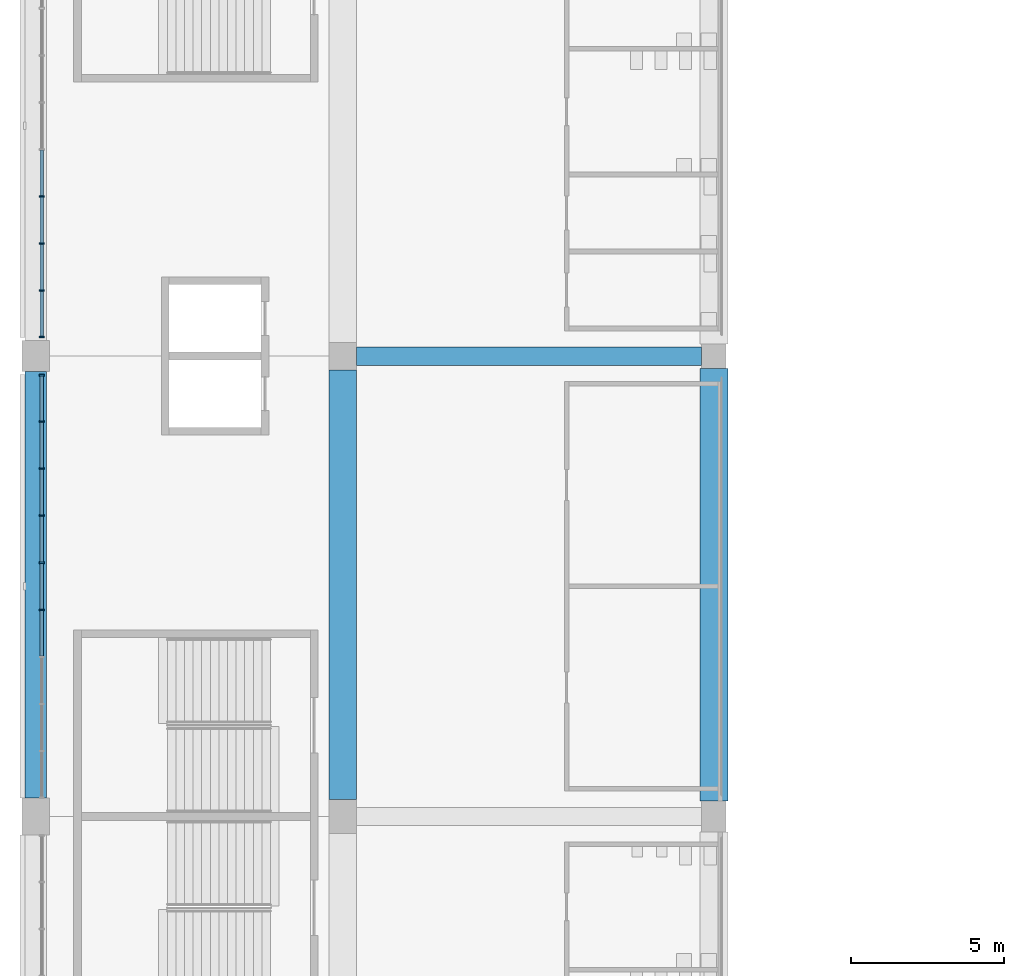
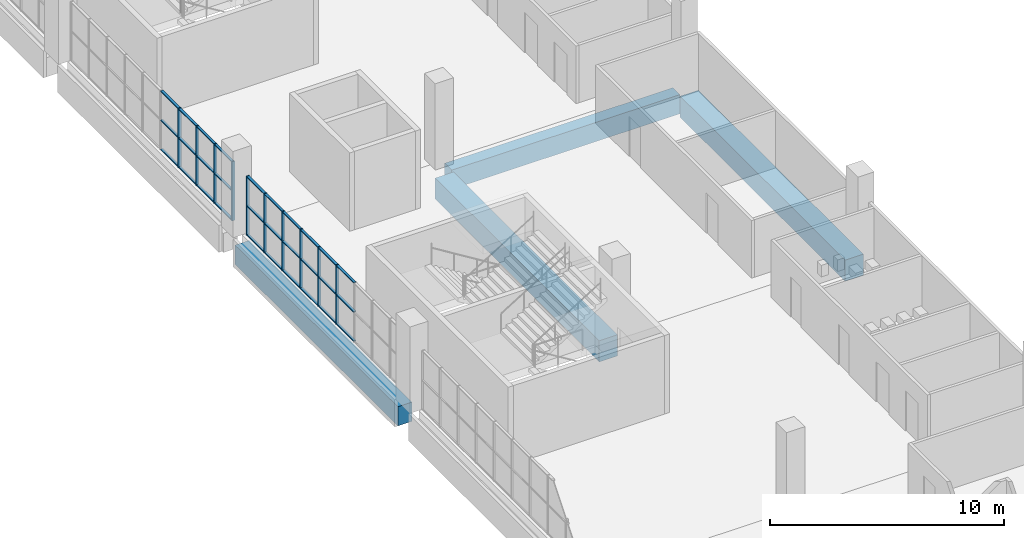
# One storey, part 19 of 199: 40 members, 4 beams, 2 elements without a shape of their own.
"""IFC4 building model written with IfcOpenShell, lengths in metres."""

from ifc_helpers import new_model, si_unit, direction, frame, origin, origin_2d, place, context, subcontext, project, spatial, rectangle, extrude, material, material_profile, profile_set, type_object, element, aggregate, save


model = new_model("IFC4")

# Units and contexts
model_context = context("Model", 3, precision=1e-05, world=origin(), true_north=direction((0.0, 1.0)))
body_context = subcontext(model_context, "Body", "Model", "MODEL_VIEW")
ifc_project = project(units=[si_unit("LENGTHUNIT", "METRE"), si_unit("AREAUNIT", "SQUARE_METRE"), si_unit("VOLUMEUNIT", "CUBIC_METRE"), si_unit("PLANEANGLEUNIT", "RADIAN"), si_unit("MASSUNIT", "GRAM", prefix="KILO")], contexts=[model_context])

# Site, building, storey
site_placement = place(None, origin())
site = spatial("IfcSite", under=ifc_project, at=site_placement, CompositionType="ELEMENT")
building_placement = place(site_placement, origin())
building = spatial("IfcBuilding", under=site, at=building_placement, Name="Ogive Plaza Stadium", CompositionType="ELEMENT")
storey_placement = place(building_placement, frame((0.0, 0.0, 9.0)))
storey = spatial("IfcBuildingStorey", under=building, at=storey_placement, Name="L02", CompositionType="ELEMENT", Elevation=9.0)

# Curtain wall, members
ifc_material_1 = material(Name="Bronze-anodised aluminium with laminated glass", Category="aluminium")
curtain_wall_type = type_object("IfcCurtainWallType", Name="Lancet curtain wall", PredefinedType="NOTDEFINED", material=ifc_material_1)
curtain_wall_1_placement = place(storey_placement, origin())
curtain_wall_1 = element("IfcCurtainWall", 1, at=curtain_wall_1_placement, inside=storey, type_object=curtain_wall_type, Name="CURTAIN WALL B24 L02", PredefinedType="NOTDEFINED")
ifc_material_2 = material(Name="Bronze-anodised aluminium", Category="aluminium")
ifc_material_profile_1 = material_profile(ifc_material_2, rectangle(XDim=0.14990234375, YDim=0.050048828125, at=origin_2d()), Name="AL 150x50")
ifc_profile_set_1 = profile_set([ifc_material_profile_1], Name="Bronze-anodised aluminium")
member_type_1 = type_object("IfcMemberType", Name="Curtain wall mullion 50x150", PredefinedType="MULLION", material=ifc_profile_set_1)
member_1_placement = place(storey_placement, frame((-83.800048828125, -0.7666015625, 0.0), z_axis=(0.0, 0.0, 1.0), x_axis=(-1.0, 0.0, 0.0)))
member_1 = element("IfcMember", 2, at=member_1_placement, type_object=member_type_1, Name="CW-B24-L02 mullion 5", PredefinedType="MULLION", context=body_context, shape_type="SweptSolid", body=[
    extrude(rectangle(XDim=0.14990234375, YDim=0.050048828125, at=origin_2d()), origin(), (0.0, 0.0, 1.0), 3.090087890625),
])
member_2_placement = place(storey_placement, frame((-83.800048828125, 0.7666015625, 0.0), z_axis=(0.0, 0.0, 1.0), x_axis=(-1.0, 0.0, 0.0)))
member_2 = element("IfcMember", 3, at=member_2_placement, type_object=member_type_1, Name="CW-B24-L02 mullion 6", PredefinedType="MULLION", context=body_context, shape_type="SweptSolid", body=[
    extrude(rectangle(XDim=0.14990234375, YDim=0.050048828125, at=origin_2d()), origin(), (0.0, 0.0, 1.0), 3.090087890625),
])
member_3_placement = place(storey_placement, frame((-83.800048828125, 2.300048828125, 0.0), z_axis=(0.0, 0.0, 1.0), x_axis=(-1.0, 0.0, 0.0)))
member_3 = element("IfcMember", 4, at=member_3_placement, type_object=member_type_1, Name="CW-B24-L02 mullion 7", PredefinedType="MULLION", context=body_context, shape_type="SweptSolid", body=[
    extrude(rectangle(XDim=0.14990234375, YDim=0.050048828125, at=origin_2d()), origin(), (0.0, 0.0, 1.0), 3.090087890625),
])
member_4_placement = place(storey_placement, frame((-83.800048828125, 3.833251953125, 0.0), z_axis=(0.0, 0.0, 1.0), x_axis=(-1.0, 0.0, 0.0)))
member_4 = element("IfcMember", 5, at=member_4_placement, type_object=member_type_1, Name="CW-B24-L02 mullion 8", PredefinedType="MULLION", context=body_context, shape_type="SweptSolid", body=[
    extrude(rectangle(XDim=0.14990234375, YDim=0.050048828125, at=origin_2d()), origin(), (0.0, 0.0, 1.0), 3.090087890625),
])
member_5_placement = place(storey_placement, frame((-83.800048828125, 5.36669921875, 0.0), z_axis=(0.0, 0.0, 1.0), x_axis=(-1.0, 0.0, 0.0)))
member_5 = element("IfcMember", 6, at=member_5_placement, type_object=member_type_1, Name="CW-B24-L02 mullion 9", PredefinedType="MULLION", context=body_context, shape_type="SweptSolid", body=[
    extrude(rectangle(XDim=0.14990234375, YDim=0.050048828125, at=origin_2d()), origin(), (0.0, 0.0, 1.0), 3.090087890625),
])
member_6_placement = place(storey_placement, frame((-83.800048828125, 6.875, 0.0), z_axis=(0.0, 0.0, 1.0), x_axis=(-1.0, 0.0, 0.0)))
member_6 = element("IfcMember", 7, at=member_6_placement, type_object=member_type_1, Name="CW-B24-L02 mullion 10", PredefinedType="MULLION", context=body_context, shape_type="SweptSolid", body=[
    extrude(rectangle(XDim=0.14990234375, YDim=0.050048828125, at=origin_2d()), origin(), (0.0, 0.0, 1.0), 3.090087890625),
])

curtain_wall_2_placement = place(storey_placement, origin())
curtain_wall_2 = element("IfcCurtainWall", 8, at=curtain_wall_2_placement, inside=storey, type_object=curtain_wall_type, Name="CURTAIN WALL B25 L02", PredefinedType="NOTDEFINED")
member_7_placement = place(storey_placement, frame((-83.800048828125, 8.125, 0.0), z_axis=(0.0, 0.0, 1.0), x_axis=(-1.0, 0.0, 0.0)))
member_7 = element("IfcMember", 9, at=member_7_placement, type_object=member_type_1, Name="CW-B25-L02 mullion 1", PredefinedType="MULLION", context=body_context, shape_type="SweptSolid", body=[
    extrude(rectangle(XDim=0.14990234375, YDim=0.050048828125, at=origin_2d()), origin(), (0.0, 0.0, 1.0), 3.090087890625),
])
member_8_placement = place(storey_placement, frame((-83.800048828125, 9.63330078125, 0.0), z_axis=(0.0, 0.0, 1.0), x_axis=(-1.0, 0.0, 0.0)))
member_8 = element("IfcMember", 10, at=member_8_placement, type_object=member_type_1, Name="CW-B25-L02 mullion 2", PredefinedType="MULLION", context=body_context, shape_type="SweptSolid", body=[
    extrude(rectangle(XDim=0.14990234375, YDim=0.050048828125, at=origin_2d()), origin(), (0.0, 0.0, 1.0), 3.090087890625),
])
member_9_placement = place(storey_placement, frame((-83.800048828125, 11.166748046875, 0.0), z_axis=(0.0, 0.0, 1.0), x_axis=(-1.0, 0.0, 0.0)))
member_9 = element("IfcMember", 11, at=member_9_placement, type_object=member_type_1, Name="CW-B25-L02 mullion 3", PredefinedType="MULLION", context=body_context, shape_type="SweptSolid", body=[
    extrude(rectangle(XDim=0.14990234375, YDim=0.050048828125, at=origin_2d()), origin(), (0.0, 0.0, 1.0), 3.090087890625),
])
member_10_placement = place(storey_placement, frame((-83.800048828125, 12.699951171875, 0.0), z_axis=(0.0, 0.0, 1.0), x_axis=(-1.0, 0.0, 0.0)))
member_10 = element("IfcMember", 12, at=member_10_placement, type_object=member_type_1, Name="CW-B25-L02 mullion 4", PredefinedType="MULLION", context=body_context, shape_type="SweptSolid", body=[
    extrude(rectangle(XDim=0.14990234375, YDim=0.050048828125, at=origin_2d()), origin(), (0.0, 0.0, 1.0), 3.090087890625),
])

# Member
ifc_material_3 = material(Name="Bronze-anodised aluminium", Category="aluminium")
ifc_material_profile_2 = material_profile(ifc_material_3, rectangle(XDim=0.1201171875, YDim=0.050048828125, at=origin_2d()), Name="AL 120x50")
ifc_profile_set_2 = profile_set([ifc_material_profile_2], Name="Bronze-anodised aluminium")
member_type_2 = type_object("IfcMemberType", Name="Curtain wall transom 50x120", PredefinedType="USERDEFINED", material=ifc_profile_set_2)
member_11_placement = place(storey_placement, frame((-83.800048828125, -2.27490234375, 0.02490234375), z_axis=(0.0, 1.0, 0.0), x_axis=(-1.0, 0.0, 0.0)))
member_11 = element("IfcMember", 13, at=member_11_placement, type_object=member_type_2, Name="CW-B24-L02 transom 4.1", ObjectType="TRANSOM", PredefinedType="USERDEFINED", context=body_context, shape_type="SweptSolid", body=[
    extrude(rectangle(XDim=0.1201171875, YDim=0.050048828125, at=origin_2d()), origin(), (0.0, 0.0, 1.0), 1.483154296875),
])

member_12_placement = place(storey_placement, frame((-83.800048828125, -2.27490234375, 1.544921875), z_axis=(0.0, 1.0, 0.0), x_axis=(-1.0, 0.0, 0.0)))
member_12 = element("IfcMember", 14, at=member_12_placement, type_object=member_type_2, Name="CW-B24-L02 transom 4.2", ObjectType="TRANSOM", PredefinedType="USERDEFINED", context=body_context, shape_type="SweptSolid", body=[
    extrude(rectangle(XDim=0.1201171875, YDim=0.050048828125, at=origin_2d()), origin(), (0.0, 0.0, 1.0), 1.483154296875),
])

member_13_placement = place(storey_placement, frame((-83.800048828125, -2.27490234375, 3.06494140625), z_axis=(0.0, 1.0, 0.0), x_axis=(-1.0, 0.0, 0.0)))
member_13 = element("IfcMember", 15, at=member_13_placement, type_object=member_type_2, Name="CW-B24-L02 transom 4.3", ObjectType="TRANSOM", PredefinedType="USERDEFINED", context=body_context, shape_type="SweptSolid", body=[
    extrude(rectangle(XDim=0.1201171875, YDim=0.050048828125, at=origin_2d()), origin(), (0.0, 0.0, 1.0), 1.483154296875),
])

member_14_placement = place(storey_placement, frame((-83.800048828125, -0.74169921875, 0.02490234375), z_axis=(0.0, 1.0, 0.0), x_axis=(-1.0, 0.0, 0.0)))
member_14 = element("IfcMember", 16, at=member_14_placement, type_object=member_type_2, Name="CW-B24-L02 transom 5.1", ObjectType="TRANSOM", PredefinedType="USERDEFINED", context=body_context, shape_type="SweptSolid", body=[
    extrude(rectangle(XDim=0.1201171875, YDim=0.050048828125, at=origin_2d()), origin(), (0.0, 0.0, 1.0), 1.4833984375),
])

member_15_placement = place(storey_placement, frame((-83.800048828125, -0.74169921875, 1.544921875), z_axis=(0.0, 1.0, 0.0), x_axis=(-1.0, 0.0, 0.0)))
member_15 = element("IfcMember", 17, at=member_15_placement, type_object=member_type_2, Name="CW-B24-L02 transom 5.2", ObjectType="TRANSOM", PredefinedType="USERDEFINED", context=body_context, shape_type="SweptSolid", body=[
    extrude(rectangle(XDim=0.1201171875, YDim=0.050048828125, at=origin_2d()), origin(), (0.0, 0.0, 1.0), 1.4833984375),
])

member_16_placement = place(storey_placement, frame((-83.800048828125, -0.74169921875, 3.06494140625), z_axis=(0.0, 1.0, 0.0), x_axis=(-1.0, 0.0, 0.0)))
member_16 = element("IfcMember", 18, at=member_16_placement, type_object=member_type_2, Name="CW-B24-L02 transom 5.3", ObjectType="TRANSOM", PredefinedType="USERDEFINED", context=body_context, shape_type="SweptSolid", body=[
    extrude(rectangle(XDim=0.1201171875, YDim=0.050048828125, at=origin_2d()), origin(), (0.0, 0.0, 1.0), 1.4833984375),
])

member_17_placement = place(storey_placement, frame((-83.800048828125, 0.791748046875, 0.02490234375), z_axis=(0.0, 1.0, 0.0), x_axis=(-1.0, 0.0, 0.0)))
member_17 = element("IfcMember", 19, at=member_17_placement, type_object=member_type_2, Name="CW-B24-L02 transom 6.1", ObjectType="TRANSOM", PredefinedType="USERDEFINED", context=body_context, shape_type="SweptSolid", body=[
    extrude(rectangle(XDim=0.1201171875, YDim=0.050048828125, at=origin_2d()), origin(), (0.0, 0.0, 1.0), 1.483154296875),
])

member_18_placement = place(storey_placement, frame((-83.800048828125, 0.791748046875, 1.544921875), z_axis=(0.0, 1.0, 0.0), x_axis=(-1.0, 0.0, 0.0)))
member_18 = element("IfcMember", 20, at=member_18_placement, type_object=member_type_2, Name="CW-B24-L02 transom 6.2", ObjectType="TRANSOM", PredefinedType="USERDEFINED", context=body_context, shape_type="SweptSolid", body=[
    extrude(rectangle(XDim=0.1201171875, YDim=0.050048828125, at=origin_2d()), origin(), (0.0, 0.0, 1.0), 1.483154296875),
])

member_19_placement = place(storey_placement, frame((-83.800048828125, 0.791748046875, 3.06494140625), z_axis=(0.0, 1.0, 0.0), x_axis=(-1.0, 0.0, 0.0)))
member_19 = element("IfcMember", 21, at=member_19_placement, type_object=member_type_2, Name="CW-B24-L02 transom 6.3", ObjectType="TRANSOM", PredefinedType="USERDEFINED", context=body_context, shape_type="SweptSolid", body=[
    extrude(rectangle(XDim=0.1201171875, YDim=0.050048828125, at=origin_2d()), origin(), (0.0, 0.0, 1.0), 1.483154296875),
])

member_20_placement = place(storey_placement, frame((-83.800048828125, 2.324951171875, 0.02490234375), z_axis=(0.0, 1.0, 0.0), x_axis=(-1.0, 0.0, 0.0)))
member_20 = element("IfcMember", 22, at=member_20_placement, type_object=member_type_2, Name="CW-B24-L02 transom 7.1", ObjectType="TRANSOM", PredefinedType="USERDEFINED", context=body_context, shape_type="SweptSolid", body=[
    extrude(rectangle(XDim=0.1201171875, YDim=0.050048828125, at=origin_2d()), origin(), (0.0, 0.0, 1.0), 1.4833984375),
])

member_21_placement = place(storey_placement, frame((-83.800048828125, 2.324951171875, 1.544921875), z_axis=(0.0, 1.0, 0.0), x_axis=(-1.0, 0.0, 0.0)))
member_21 = element("IfcMember", 23, at=member_21_placement, type_object=member_type_2, Name="CW-B24-L02 transom 7.2", ObjectType="TRANSOM", PredefinedType="USERDEFINED", context=body_context, shape_type="SweptSolid", body=[
    extrude(rectangle(XDim=0.1201171875, YDim=0.050048828125, at=origin_2d()), origin(), (0.0, 0.0, 1.0), 1.4833984375),
])

member_22_placement = place(storey_placement, frame((-83.800048828125, 2.324951171875, 3.06494140625), z_axis=(0.0, 1.0, 0.0), x_axis=(-1.0, 0.0, 0.0)))
member_22 = element("IfcMember", 24, at=member_22_placement, type_object=member_type_2, Name="CW-B24-L02 transom 7.3", ObjectType="TRANSOM", PredefinedType="USERDEFINED", context=body_context, shape_type="SweptSolid", body=[
    extrude(rectangle(XDim=0.1201171875, YDim=0.050048828125, at=origin_2d()), origin(), (0.0, 0.0, 1.0), 1.4833984375),
])

member_23_placement = place(storey_placement, frame((-83.800048828125, 3.8583984375, 0.02490234375), z_axis=(0.0, 1.0, 0.0), x_axis=(-1.0, 0.0, 0.0)))
member_23 = element("IfcMember", 25, at=member_23_placement, type_object=member_type_2, Name="CW-B24-L02 transom 8.1", ObjectType="TRANSOM", PredefinedType="USERDEFINED", context=body_context, shape_type="SweptSolid", body=[
    extrude(rectangle(XDim=0.1201171875, YDim=0.050048828125, at=origin_2d()), origin(), (0.0, 0.0, 1.0), 1.483154296875),
])

member_24_placement = place(storey_placement, frame((-83.800048828125, 3.8583984375, 1.544921875), z_axis=(0.0, 1.0, 0.0), x_axis=(-1.0, 0.0, 0.0)))
member_24 = element("IfcMember", 26, at=member_24_placement, type_object=member_type_2, Name="CW-B24-L02 transom 8.2", ObjectType="TRANSOM", PredefinedType="USERDEFINED", context=body_context, shape_type="SweptSolid", body=[
    extrude(rectangle(XDim=0.1201171875, YDim=0.050048828125, at=origin_2d()), origin(), (0.0, 0.0, 1.0), 1.483154296875),
])

member_25_placement = place(storey_placement, frame((-83.800048828125, 3.8583984375, 3.06494140625), z_axis=(0.0, 1.0, 0.0), x_axis=(-1.0, 0.0, 0.0)))
member_25 = element("IfcMember", 27, at=member_25_placement, type_object=member_type_2, Name="CW-B24-L02 transom 8.3", ObjectType="TRANSOM", PredefinedType="USERDEFINED", context=body_context, shape_type="SweptSolid", body=[
    extrude(rectangle(XDim=0.1201171875, YDim=0.050048828125, at=origin_2d()), origin(), (0.0, 0.0, 1.0), 1.483154296875),
])

member_26_placement = place(storey_placement, frame((-83.800048828125, 5.3916015625, 0.02490234375), z_axis=(0.0, 1.0, 0.0), x_axis=(-1.0, 0.0, 0.0)))
member_26 = element("IfcMember", 28, at=member_26_placement, type_object=member_type_2, Name="CW-B24-L02 transom 9.1", ObjectType="TRANSOM", PredefinedType="USERDEFINED", context=body_context, shape_type="SweptSolid", body=[
    extrude(rectangle(XDim=0.1201171875, YDim=0.050048828125, at=origin_2d()), origin(), (0.0, 0.0, 1.0), 1.45849609375),
])

member_27_placement = place(storey_placement, frame((-83.800048828125, 5.3916015625, 1.544921875), z_axis=(0.0, 1.0, 0.0), x_axis=(-1.0, 0.0, 0.0)))
member_27 = element("IfcMember", 29, at=member_27_placement, type_object=member_type_2, Name="CW-B24-L02 transom 9.2", ObjectType="TRANSOM", PredefinedType="USERDEFINED", context=body_context, shape_type="SweptSolid", body=[
    extrude(rectangle(XDim=0.1201171875, YDim=0.050048828125, at=origin_2d()), origin(), (0.0, 0.0, 1.0), 1.45849609375),
])

member_28_placement = place(storey_placement, frame((-83.800048828125, 5.3916015625, 3.06494140625), z_axis=(0.0, 1.0, 0.0), x_axis=(-1.0, 0.0, 0.0)))
member_28 = element("IfcMember", 30, at=member_28_placement, type_object=member_type_2, Name="CW-B24-L02 transom 9.3", ObjectType="TRANSOM", PredefinedType="USERDEFINED", context=body_context, shape_type="SweptSolid", body=[
    extrude(rectangle(XDim=0.1201171875, YDim=0.050048828125, at=origin_2d()), origin(), (0.0, 0.0, 1.0), 1.45849609375),
])

aggregate(curtain_wall_1, [member_1, member_2, member_3, member_4, member_5, member_6, member_11, member_12, member_13, member_14, member_15, member_16, member_17, member_18, member_19, member_20, member_21, member_22, member_23, member_24, member_25, member_26, member_27, member_28])

member_29_placement = place(storey_placement, frame((-83.800048828125, 8.14990234375, 0.02490234375), z_axis=(0.0, 1.0, 0.0), x_axis=(-1.0, 0.0, 0.0)))
member_29 = element("IfcMember", 31, at=member_29_placement, type_object=member_type_2, Name="CW-B25-L02 transom 1.1", ObjectType="TRANSOM", PredefinedType="USERDEFINED", context=body_context, shape_type="SweptSolid", body=[
    extrude(rectangle(XDim=0.1201171875, YDim=0.050048828125, at=origin_2d()), origin(), (0.0, 0.0, 1.0), 1.45849609375),
])

member_30_placement = place(storey_placement, frame((-83.800048828125, 8.14990234375, 1.544921875), z_axis=(0.0, 1.0, 0.0), x_axis=(-1.0, 0.0, 0.0)))
member_30 = element("IfcMember", 32, at=member_30_placement, type_object=member_type_2, Name="CW-B25-L02 transom 1.2", ObjectType="TRANSOM", PredefinedType="USERDEFINED", context=body_context, shape_type="SweptSolid", body=[
    extrude(rectangle(XDim=0.1201171875, YDim=0.050048828125, at=origin_2d()), origin(), (0.0, 0.0, 1.0), 1.45849609375),
])

member_31_placement = place(storey_placement, frame((-83.800048828125, 8.14990234375, 3.06494140625), z_axis=(0.0, 1.0, 0.0), x_axis=(-1.0, 0.0, 0.0)))
member_31 = element("IfcMember", 33, at=member_31_placement, type_object=member_type_2, Name="CW-B25-L02 transom 1.3", ObjectType="TRANSOM", PredefinedType="USERDEFINED", context=body_context, shape_type="SweptSolid", body=[
    extrude(rectangle(XDim=0.1201171875, YDim=0.050048828125, at=origin_2d()), origin(), (0.0, 0.0, 1.0), 1.45849609375),
])

member_32_placement = place(storey_placement, frame((-83.800048828125, 9.658447265625, 0.02490234375), z_axis=(0.0, 1.0, 0.0), x_axis=(-1.0, 0.0, 0.0)))
member_32 = element("IfcMember", 34, at=member_32_placement, type_object=member_type_2, Name="CW-B25-L02 transom 2.1", ObjectType="TRANSOM", PredefinedType="USERDEFINED", context=body_context, shape_type="SweptSolid", body=[
    extrude(rectangle(XDim=0.1201171875, YDim=0.050048828125, at=origin_2d()), origin(), (0.0, 0.0, 1.0), 1.483154296875),
])

member_33_placement = place(storey_placement, frame((-83.800048828125, 9.658447265625, 1.544921875), z_axis=(0.0, 1.0, 0.0), x_axis=(-1.0, 0.0, 0.0)))
member_33 = element("IfcMember", 35, at=member_33_placement, type_object=member_type_2, Name="CW-B25-L02 transom 2.2", ObjectType="TRANSOM", PredefinedType="USERDEFINED", context=body_context, shape_type="SweptSolid", body=[
    extrude(rectangle(XDim=0.1201171875, YDim=0.050048828125, at=origin_2d()), origin(), (0.0, 0.0, 1.0), 1.483154296875),
])

member_34_placement = place(storey_placement, frame((-83.800048828125, 9.658447265625, 3.06494140625), z_axis=(0.0, 1.0, 0.0), x_axis=(-1.0, 0.0, 0.0)))
member_34 = element("IfcMember", 36, at=member_34_placement, type_object=member_type_2, Name="CW-B25-L02 transom 2.3", ObjectType="TRANSOM", PredefinedType="USERDEFINED", context=body_context, shape_type="SweptSolid", body=[
    extrude(rectangle(XDim=0.1201171875, YDim=0.050048828125, at=origin_2d()), origin(), (0.0, 0.0, 1.0), 1.483154296875),
])

member_35_placement = place(storey_placement, frame((-83.800048828125, 11.191650390625, 0.02490234375), z_axis=(0.0, 1.0, 0.0), x_axis=(-1.0, 0.0, 0.0)))
member_35 = element("IfcMember", 37, at=member_35_placement, type_object=member_type_2, Name="CW-B25-L02 transom 3.1", ObjectType="TRANSOM", PredefinedType="USERDEFINED", context=body_context, shape_type="SweptSolid", body=[
    extrude(rectangle(XDim=0.1201171875, YDim=0.050048828125, at=origin_2d()), origin(), (0.0, 0.0, 1.0), 1.4833984375),
])

member_36_placement = place(storey_placement, frame((-83.800048828125, 11.191650390625, 1.544921875), z_axis=(0.0, 1.0, 0.0), x_axis=(-1.0, 0.0, 0.0)))
member_36 = element("IfcMember", 38, at=member_36_placement, type_object=member_type_2, Name="CW-B25-L02 transom 3.2", ObjectType="TRANSOM", PredefinedType="USERDEFINED", context=body_context, shape_type="SweptSolid", body=[
    extrude(rectangle(XDim=0.1201171875, YDim=0.050048828125, at=origin_2d()), origin(), (0.0, 0.0, 1.0), 1.4833984375),
])

member_37_placement = place(storey_placement, frame((-83.800048828125, 11.191650390625, 3.06494140625), z_axis=(0.0, 1.0, 0.0), x_axis=(-1.0, 0.0, 0.0)))
member_37 = element("IfcMember", 39, at=member_37_placement, type_object=member_type_2, Name="CW-B25-L02 transom 3.3", ObjectType="TRANSOM", PredefinedType="USERDEFINED", context=body_context, shape_type="SweptSolid", body=[
    extrude(rectangle(XDim=0.1201171875, YDim=0.050048828125, at=origin_2d()), origin(), (0.0, 0.0, 1.0), 1.4833984375),
])

member_38_placement = place(storey_placement, frame((-83.800048828125, 12.72509765625, 0.02490234375), z_axis=(0.0, 1.0, 0.0), x_axis=(-1.0, 0.0, 0.0)))
member_38 = element("IfcMember", 40, at=member_38_placement, type_object=member_type_2, Name="CW-B25-L02 transom 4.1", ObjectType="TRANSOM", PredefinedType="USERDEFINED", context=body_context, shape_type="SweptSolid", body=[
    extrude(rectangle(XDim=0.1201171875, YDim=0.050048828125, at=origin_2d()), origin(), (0.0, 0.0, 1.0), 1.483154296875),
])

member_39_placement = place(storey_placement, frame((-83.800048828125, 12.72509765625, 1.544921875), z_axis=(0.0, 1.0, 0.0), x_axis=(-1.0, 0.0, 0.0)))
member_39 = element("IfcMember", 41, at=member_39_placement, type_object=member_type_2, Name="CW-B25-L02 transom 4.2", ObjectType="TRANSOM", PredefinedType="USERDEFINED", context=body_context, shape_type="SweptSolid", body=[
    extrude(rectangle(XDim=0.1201171875, YDim=0.050048828125, at=origin_2d()), origin(), (0.0, 0.0, 1.0), 1.483154296875),
])

member_40_placement = place(storey_placement, frame((-83.800048828125, 12.72509765625, 3.06494140625), z_axis=(0.0, 1.0, 0.0), x_axis=(-1.0, 0.0, 0.0)))
member_40 = element("IfcMember", 42, at=member_40_placement, type_object=member_type_2, Name="CW-B25-L02 transom 4.3", ObjectType="TRANSOM", PredefinedType="USERDEFINED", context=body_context, shape_type="SweptSolid", body=[
    extrude(rectangle(XDim=0.1201171875, YDim=0.050048828125, at=origin_2d()), origin(), (0.0, 0.0, 1.0), 1.483154296875),
])

aggregate(curtain_wall_2, [member_7, member_8, member_9, member_10, member_29, member_30, member_31, member_32, member_33, member_34, member_35, member_36, member_37, member_38, member_39, member_40])

# Beams
ifc_material_4 = material(Name="Concrete C40/50", Category="concrete")
ifc_material_profile_3 = material_profile(ifc_material_4, rectangle(XDim=0.60009765625, YDim=1.0, at=origin_2d()), Name="RC 600x1000")
ifc_profile_set_3 = profile_set([ifc_material_profile_3], Name="Concrete C40/50")
beam_type_1 = type_object("IfcBeamType", Name="RC radial beam 600x1000", PredefinedType="BEAM", material=ifc_profile_set_3)
beam_1_placement = place(storey_placement, frame((-62.300048828125, 7.5, -0.909912109375), z_axis=(-1.0, 0.0, 0.0), x_axis=(0.0, -1.0, 0.0)))
element("IfcBeam", 43, at=beam_1_placement, inside=storey, type_object=beam_type_1, Name="Radial beam L02 R25 F3F4", PredefinedType="BEAM", context=body_context, shape_type="SweptSolid", body=[
    extrude(rectangle(XDim=0.60009765625, YDim=1.0, at=origin_2d()), origin(), (0.0, 0.0, 1.0), 11.25),
])
ifc_material_5 = material(Name="Concrete C40/50", Category="concrete")
ifc_material_profile_4 = material_profile(ifc_material_5, rectangle(XDim=0.89990234375, YDim=1.10009765625, at=origin_2d()), Name="RC 900x1100")
ifc_profile_set_4 = profile_set([ifc_material_profile_4], Name="Concrete C40/50")
beam_type_2 = type_object("IfcBeamType", Name="RC ring beam 900x1100", PredefinedType="BEAM", material=ifc_profile_set_4)
beam_2_placement = place(storey_placement, frame((-74.0, -6.949951171875, -0.9599609375), z_axis=(0.0, 1.0, 0.0), x_axis=(-1.0, 0.0, 0.0)))
element("IfcBeam", 44, at=beam_2_placement, inside=storey, type_object=beam_type_2, Name="Ring beam F4 L02 B24", PredefinedType="BEAM", context=body_context, shape_type="SweptSolid", body=[
    extrude(rectangle(XDim=0.89990234375, YDim=1.10009765625, at=origin_2d()), origin(), (0.0, 0.0, 1.0), 14.0),
])
beam_3_placement = place(storey_placement, frame((-61.89990234375, -7.0, -0.9599609375), z_axis=(0.0, 1.0, 0.0), x_axis=(-1.0, 0.0, 0.0)))
element("IfcBeam", 45, at=beam_3_placement, inside=storey, type_object=beam_type_2, Name="Ring beam F3 L02 B24", PredefinedType="BEAM", context=body_context, shape_type="SweptSolid", body=[
    extrude(rectangle(XDim=0.89990234375, YDim=1.10009765625, at=origin_2d()), origin(), (0.0, 0.0, 1.0), 14.10009765625),
])
ifc_material_6 = material(Name="Concrete C40/50", Category="concrete")
ifc_material_profile_5 = material_profile(ifc_material_6, rectangle(XDim=0.699951171875, YDim=1.0, at=origin_2d()), Name="RC 700x1000")
ifc_profile_set_5 = profile_set([ifc_material_profile_5], Name="Concrete C40/50")
beam_type_3 = type_object("IfcBeamType", Name="RC spandrel beam 700x1000", PredefinedType="SPANDREL", material=ifc_profile_set_5)
beam_4_placement = place(storey_placement, frame((-84.0, -6.89990234375, -0.909912109375), z_axis=(0.0, 1.0, 0.0), x_axis=(-1.0, 0.0, 0.0)))
element("IfcBeam", 46, at=beam_4_placement, inside=storey, type_object=beam_type_3, Name="Ring beam F5 L02 B24", PredefinedType="SPANDREL", context=body_context, shape_type="SweptSolid", body=[
    extrude(rectangle(XDim=0.699951171875, YDim=1.0, at=origin_2d()), origin(), (0.0, 0.0, 1.0), 13.89990234375),
])

save(model, "model.ifc")
